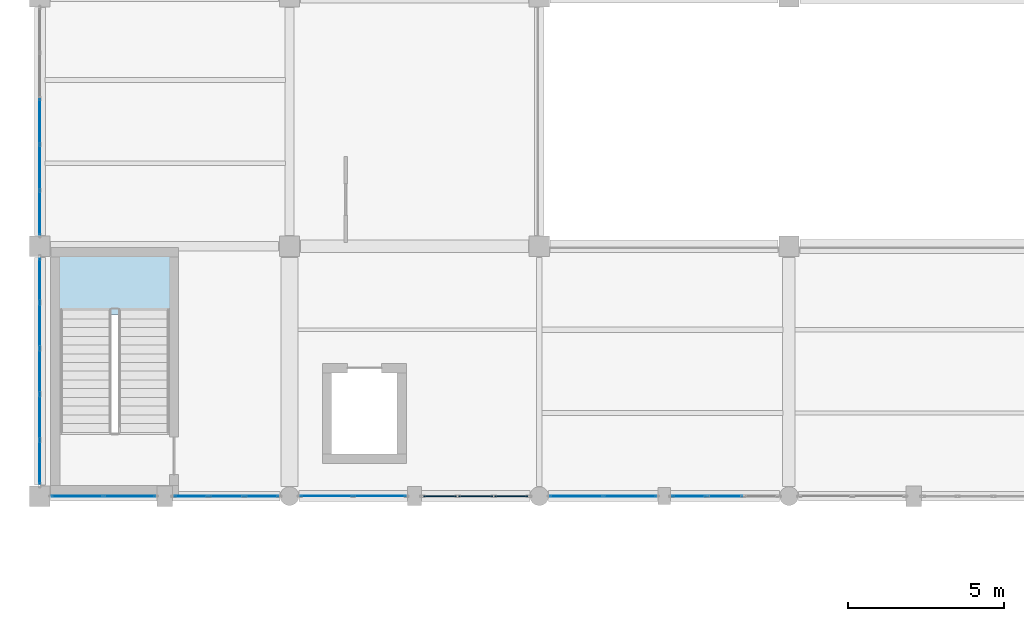
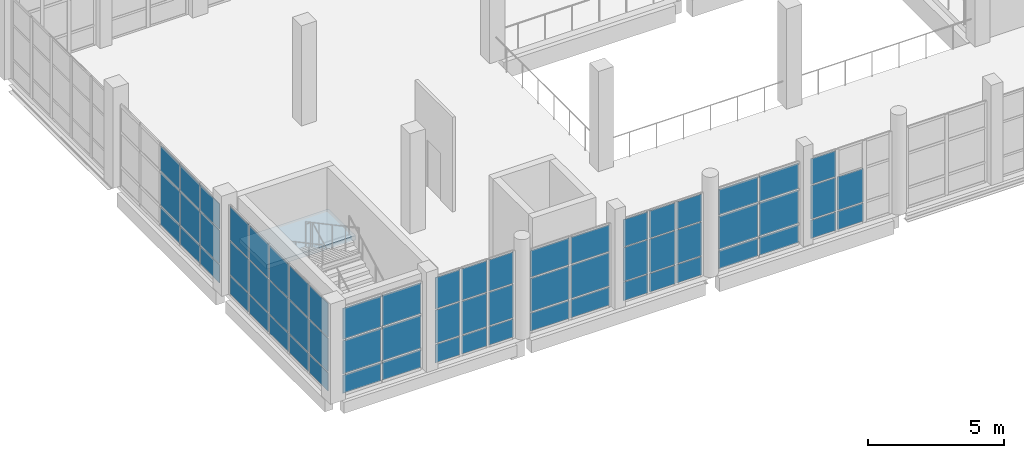
# One storey, part 115 of 183: 65 plates, 1 slab, 9 elements without a shape of their own.
"""IFC4 building model written with IfcOpenShell, lengths in metres."""

from ifc_helpers import new_model, si_unit, direction, frame, origin, origin_2d, place, context, subcontext, project, spatial, polyline, rectangle, outline, extrude, material, layer, layer_set, type_object, element, aggregate, save


model = new_model("IFC4")

# Units and contexts
model_context = context("Model", 3, precision=1e-05, world=origin(), true_north=direction((0.0, 1.0)))
body_context = subcontext(model_context, "Body", "Model", "MODEL_VIEW")
ifc_project = project(units=[si_unit("LENGTHUNIT", "METRE"), si_unit("AREAUNIT", "SQUARE_METRE"), si_unit("VOLUMEUNIT", "CUBIC_METRE"), si_unit("PLANEANGLEUNIT", "RADIAN"), si_unit("MASSUNIT", "GRAM", prefix="KILO")], contexts=[model_context])

# Site, building, storey
site_placement = place(None, origin())
site = spatial("IfcSite", under=ifc_project, at=site_placement, CompositionType="ELEMENT")
building_placement = place(site_placement, origin())
building = spatial("IfcBuilding", under=site, at=building_placement, Name="Luwemba Playhouse", CompositionType="ELEMENT")
storey_placement = place(building_placement, frame((0.0, 0.0, 4.800048828125)))
storey = spatial("IfcBuildingStorey", under=building, at=storey_placement, Name="L01", CompositionType="ELEMENT", Elevation=4.800048828125)

# Curtain wall, plates
ifc_material_1 = material(Name="Solar-control double glazing", Category="glass")
curtain_wall_type_1 = type_object("IfcCurtainWallType", Name="CW-CW95", PredefinedType="USERDEFINED", material=ifc_material_1)
curtain_wall_1_placement = place(storey_placement, origin())
curtain_wall_1 = element("IfcCurtainWall", 1, at=curtain_wall_1_placement, inside=storey, type_object=curtain_wall_type_1, Name="L01 V5W unitised curtain wall 150", ObjectType="UNITISED GLAZING", PredefinedType="USERDEFINED")
ifc_layer_1 = layer(ifc_material_1, 0.02392578125)
ifc_layer_set_1 = layer_set([ifc_layer_1], Name="Solar-control double glazing")
plate_type_1 = type_object("IfcPlateType", Name="CWP-P1", PredefinedType="CURTAIN_PANEL", material=ifc_layer_set_1)
plate_1_placement = place(storey_placement, frame((14.891357421875, 3.0, 0.059814453125), z_axis=(0.0, 0.0, 1.0), x_axis=(-1.0, 0.0, 0.0)))
plate_1 = element("IfcPlate", 2, at=plate_1_placement, type_object=plate_type_1, Name="CW95 panel 1.1", PredefinedType="CURTAIN_PANEL", context=body_context, shape_type="SweptSolid", body=[
    extrude(rectangle(XDim=1.6474609375, YDim=0.02392578125, at=origin_2d()), origin(), (0.0, 0.0, 1.0), 0.81005859375),
])
plate_2_placement = place(storey_placement, frame((14.891357421875, 3.0, 0.93017578125), z_axis=(0.0, 0.0, 1.0), x_axis=(-1.0, 0.0, 0.0)))
plate_2 = element("IfcPlate", 3, at=plate_2_placement, type_object=plate_type_1, Name="CW95 panel 1.2", PredefinedType="CURTAIN_PANEL", context=body_context, shape_type="SweptSolid", body=[
    extrude(rectangle(XDim=1.6474609375, YDim=0.02392578125, at=origin_2d()), origin(), (0.0, 0.0, 1.0), 1.489990234375),
])
plate_3_placement = place(storey_placement, frame((14.891357421875, 3.0, 2.47998046875), z_axis=(0.0, 0.0, 1.0), x_axis=(-1.0, 0.0, 0.0)))
plate_3 = element("IfcPlate", 4, at=plate_3_placement, type_object=plate_type_1, Name="CW95 panel 1.3", PredefinedType="CURTAIN_PANEL", context=body_context, shape_type="SweptSolid", body=[
    extrude(rectangle(XDim=1.6474609375, YDim=0.02392578125, at=origin_2d()), origin(), (0.0, 0.0, 1.0), 1.195068359375),
])
plate_4_placement = place(storey_placement, frame((13.183837890625, 3.0, 0.059814453125), z_axis=(0.0, 0.0, 1.0), x_axis=(-1.0, 0.0, 0.0)))
plate_4 = element("IfcPlate", 5, at=plate_4_placement, type_object=plate_type_1, Name="CW95 panel 2.1", PredefinedType="CURTAIN_PANEL", context=body_context, shape_type="SweptSolid", body=[
    extrude(rectangle(XDim=1.6474609375, YDim=0.02392578125, at=origin_2d()), origin(), (0.0, 0.0, 1.0), 0.81005859375),
])
plate_5_placement = place(storey_placement, frame((13.183837890625, 3.0, 0.93017578125), z_axis=(0.0, 0.0, 1.0), x_axis=(-1.0, 0.0, 0.0)))
plate_5 = element("IfcPlate", 6, at=plate_5_placement, type_object=plate_type_1, Name="CW95 panel 2.2", PredefinedType="CURTAIN_PANEL", context=body_context, shape_type="SweptSolid", body=[
    extrude(rectangle(XDim=1.6474609375, YDim=0.02392578125, at=origin_2d()), origin(), (0.0, 0.0, 1.0), 1.489990234375),
])
plate_6_placement = place(storey_placement, frame((13.183837890625, 3.0, 2.47998046875), z_axis=(0.0, 0.0, 1.0), x_axis=(-1.0, 0.0, 0.0)))
plate_6 = element("IfcPlate", 7, at=plate_6_placement, type_object=plate_type_1, Name="CW95 panel 2.3", PredefinedType="CURTAIN_PANEL", context=body_context, shape_type="SweptSolid", body=[
    extrude(rectangle(XDim=1.6474609375, YDim=0.02392578125, at=origin_2d()), origin(), (0.0, 0.0, 1.0), 1.195068359375),
])
aggregate(curtain_wall_1, [plate_1, plate_2, plate_3, plate_4, plate_5, plate_6])

curtain_wall_type_2 = type_object("IfcCurtainWallType", Name="CW-CW89", PredefinedType="USERDEFINED", material=ifc_material_1)
curtain_wall_2_placement = place(storey_placement, origin())
curtain_wall_2 = element("IfcCurtainWall", 8, at=curtain_wall_2_placement, inside=storey, type_object=curtain_wall_type_2, Name="L01 V5W unitised curtain wall 119", ObjectType="UNITISED GLAZING", PredefinedType="USERDEFINED")
ifc_layer_2 = layer(ifc_material_1, 0.028076171875)
ifc_layer_set_2 = layer_set([ifc_layer_2], Name="Solar-control double glazing")
plate_type_2 = type_object("IfcPlateType", Name="CWP-P2", PredefinedType="CURTAIN_PANEL", material=ifc_layer_set_2)
plate_7_placement = place(storey_placement, frame((4.0, 4.076171875, 0.054931640625), z_axis=(0.0, 0.0, 1.0), x_axis=(0.0, 1.0, 0.0)))
plate_7 = element("IfcPlate", 9, at=plate_7_placement, type_object=plate_type_2, Name="CW89 panel 1.1", PredefinedType="CURTAIN_PANEL", context=body_context, shape_type="SweptSolid", body=[
    extrude(rectangle(XDim=1.37255859375, YDim=0.028076171875, at=origin_2d()), origin(), (0.0, 0.0, 1.0), 0.8173828125),
])
plate_8_placement = place(storey_placement, frame((4.0, 4.076171875, 0.927490234375), z_axis=(0.0, 0.0, 1.0), x_axis=(0.0, 1.0, 0.0)))
plate_8 = element("IfcPlate", 10, at=plate_8_placement, type_object=plate_type_2, Name="CW89 panel 1.2", PredefinedType="CURTAIN_PANEL", context=body_context, shape_type="SweptSolid", body=[
    extrude(rectangle(XDim=1.37255859375, YDim=0.028076171875, at=origin_2d()), origin(), (0.0, 0.0, 1.0), 1.4951171875),
])
plate_9_placement = place(storey_placement, frame((4.0, 4.076171875, 2.4775390625), z_axis=(0.0, 0.0, 1.0), x_axis=(0.0, 1.0, 0.0)))
plate_9 = element("IfcPlate", 11, at=plate_9_placement, type_object=plate_type_2, Name="CW89 panel 1.3", PredefinedType="CURTAIN_PANEL", context=body_context, shape_type="SweptSolid", body=[
    extrude(rectangle(XDim=1.37255859375, YDim=0.028076171875, at=origin_2d()), origin(), (0.0, 0.0, 1.0), 1.50244140625),
])
plate_10_placement = place(storey_placement, frame((4.0, 5.530029296875, 0.054931640625), z_axis=(0.0, 0.0, 1.0), x_axis=(0.0, 1.0, 0.0)))
plate_10 = element("IfcPlate", 12, at=plate_10_placement, type_object=plate_type_2, Name="CW89 panel 2.1", PredefinedType="CURTAIN_PANEL", context=body_context, shape_type="SweptSolid", body=[
    extrude(rectangle(XDim=1.405029296875, YDim=0.028076171875, at=origin_2d()), origin(), (0.0, 0.0, 1.0), 0.8173828125),
])
plate_11_placement = place(storey_placement, frame((4.0, 5.530029296875, 0.927490234375), z_axis=(0.0, 0.0, 1.0), x_axis=(0.0, 1.0, 0.0)))
plate_11 = element("IfcPlate", 13, at=plate_11_placement, type_object=plate_type_2, Name="CW89 panel 2.2", PredefinedType="CURTAIN_PANEL", context=body_context, shape_type="SweptSolid", body=[
    extrude(rectangle(XDim=1.405029296875, YDim=0.028076171875, at=origin_2d()), origin(), (0.0, 0.0, 1.0), 1.4951171875),
])
plate_12_placement = place(storey_placement, frame((4.0, 5.530029296875, 2.4775390625), z_axis=(0.0, 0.0, 1.0), x_axis=(0.0, 1.0, 0.0)))
plate_12 = element("IfcPlate", 14, at=plate_12_placement, type_object=plate_type_2, Name="CW89 panel 2.3", PredefinedType="CURTAIN_PANEL", context=body_context, shape_type="SweptSolid", body=[
    extrude(rectangle(XDim=1.405029296875, YDim=0.028076171875, at=origin_2d()), origin(), (0.0, 0.0, 1.0), 1.50244140625),
])
plate_13_placement = place(storey_placement, frame((4.0, 7.0, 0.054931640625), z_axis=(0.0, 0.0, 1.0), x_axis=(0.0, 1.0, 0.0)))
plate_13 = element("IfcPlate", 15, at=plate_13_placement, type_object=plate_type_2, Name="CW89 panel 3.1", PredefinedType="CURTAIN_PANEL", context=body_context, shape_type="SweptSolid", body=[
    extrude(rectangle(XDim=1.405029296875, YDim=0.028076171875, at=origin_2d()), origin(), (0.0, 0.0, 1.0), 0.8173828125),
])
plate_14_placement = place(storey_placement, frame((4.0, 7.0, 0.927490234375), z_axis=(0.0, 0.0, 1.0), x_axis=(0.0, 1.0, 0.0)))
plate_14 = element("IfcPlate", 16, at=plate_14_placement, type_object=plate_type_2, Name="CW89 panel 3.2", PredefinedType="CURTAIN_PANEL", context=body_context, shape_type="SweptSolid", body=[
    extrude(rectangle(XDim=1.405029296875, YDim=0.028076171875, at=origin_2d()), origin(), (0.0, 0.0, 1.0), 1.4951171875),
])
plate_15_placement = place(storey_placement, frame((4.0, 7.0, 2.4775390625), z_axis=(0.0, 0.0, 1.0), x_axis=(0.0, 1.0, 0.0)))
plate_15 = element("IfcPlate", 17, at=plate_15_placement, type_object=plate_type_2, Name="CW89 panel 3.3", PredefinedType="CURTAIN_PANEL", context=body_context, shape_type="SweptSolid", body=[
    extrude(rectangle(XDim=1.405029296875, YDim=0.028076171875, at=origin_2d()), origin(), (0.0, 0.0, 1.0), 1.50244140625),
])
plate_16_placement = place(storey_placement, frame((4.0, 8.469970703125, 0.054931640625), z_axis=(0.0, 0.0, 1.0), x_axis=(0.0, 1.0, 0.0)))
plate_16 = element("IfcPlate", 18, at=plate_16_placement, type_object=plate_type_2, Name="CW89 panel 4.1", PredefinedType="CURTAIN_PANEL", context=body_context, shape_type="SweptSolid", body=[
    extrude(rectangle(XDim=1.405029296875, YDim=0.028076171875, at=origin_2d()), origin(), (0.0, 0.0, 1.0), 0.8173828125),
])
plate_17_placement = place(storey_placement, frame((4.0, 8.469970703125, 0.927490234375), z_axis=(0.0, 0.0, 1.0), x_axis=(0.0, 1.0, 0.0)))
plate_17 = element("IfcPlate", 19, at=plate_17_placement, type_object=plate_type_2, Name="CW89 panel 4.2", PredefinedType="CURTAIN_PANEL", context=body_context, shape_type="SweptSolid", body=[
    extrude(rectangle(XDim=1.405029296875, YDim=0.028076171875, at=origin_2d()), origin(), (0.0, 0.0, 1.0), 1.4951171875),
])
plate_18_placement = place(storey_placement, frame((4.0, 8.469970703125, 2.4775390625), z_axis=(0.0, 0.0, 1.0), x_axis=(0.0, 1.0, 0.0)))
plate_18 = element("IfcPlate", 20, at=plate_18_placement, type_object=plate_type_2, Name="CW89 panel 4.3", PredefinedType="CURTAIN_PANEL", context=body_context, shape_type="SweptSolid", body=[
    extrude(rectangle(XDim=1.405029296875, YDim=0.028076171875, at=origin_2d()), origin(), (0.0, 0.0, 1.0), 1.50244140625),
])
plate_19_placement = place(storey_placement, frame((4.0, 9.923828125, 0.054931640625), z_axis=(0.0, 0.0, 1.0), x_axis=(0.0, 1.0, 0.0)))
plate_19 = element("IfcPlate", 21, at=plate_19_placement, type_object=plate_type_2, Name="CW89 panel 5.1", PredefinedType="CURTAIN_PANEL", context=body_context, shape_type="SweptSolid", body=[
    extrude(rectangle(XDim=1.37255859375, YDim=0.028076171875, at=origin_2d()), origin(), (0.0, 0.0, 1.0), 0.8173828125),
])
plate_20_placement = place(storey_placement, frame((4.0, 9.923828125, 0.927490234375), z_axis=(0.0, 0.0, 1.0), x_axis=(0.0, 1.0, 0.0)))
plate_20 = element("IfcPlate", 22, at=plate_20_placement, type_object=plate_type_2, Name="CW89 panel 5.2", PredefinedType="CURTAIN_PANEL", context=body_context, shape_type="SweptSolid", body=[
    extrude(rectangle(XDim=1.37255859375, YDim=0.028076171875, at=origin_2d()), origin(), (0.0, 0.0, 1.0), 1.4951171875),
])
plate_21_placement = place(storey_placement, frame((4.0, 9.923828125, 2.4775390625), z_axis=(0.0, 0.0, 1.0), x_axis=(0.0, 1.0, 0.0)))
plate_21 = element("IfcPlate", 23, at=plate_21_placement, type_object=plate_type_2, Name="CW89 panel 5.3", PredefinedType="CURTAIN_PANEL", context=body_context, shape_type="SweptSolid", body=[
    extrude(rectangle(XDim=1.37255859375, YDim=0.028076171875, at=origin_2d()), origin(), (0.0, 0.0, 1.0), 1.50244140625),
])
aggregate(curtain_wall_2, [plate_7, plate_8, plate_9, plate_10, plate_11, plate_12, plate_13, plate_14, plate_15, plate_16, plate_17, plate_18, plate_19, plate_20, plate_21])

curtain_wall_type_3 = type_object("IfcCurtainWallType", Name="CW-CW81", PredefinedType="USERDEFINED", material=ifc_material_1)
curtain_wall_3_placement = place(storey_placement, origin())
curtain_wall_3 = element("IfcCurtainWall", 24, at=curtain_wall_3_placement, inside=storey, type_object=curtain_wall_type_3, Name="L01 V5W unitised curtain wall 147", ObjectType="UNITISED GLAZING", PredefinedType="USERDEFINED")
plate_22_placement = place(storey_placement, frame((25.949951171875, 3.0, 0.054931640625), z_axis=(0.0, 0.0, 1.0), x_axis=(-1.0, 0.0, 0.0)))
plate_22 = element("IfcPlate", 25, at=plate_22_placement, type_object=plate_type_2, Name="CW81 panel 2.1", PredefinedType="CURTAIN_PANEL", context=body_context, shape_type="SweptSolid", body=[
    extrude(rectangle(XDim=1.1015625, YDim=0.028076171875, at=origin_2d()), origin(), (0.0, 0.0, 1.0), 0.8173828125),
])
plate_23_placement = place(storey_placement, frame((25.949951171875, 3.0, 0.927490234375), z_axis=(0.0, 0.0, 1.0), x_axis=(-1.0, 0.0, 0.0)))
plate_23 = element("IfcPlate", 26, at=plate_23_placement, type_object=plate_type_2, Name="CW81 panel 2.2", PredefinedType="CURTAIN_PANEL", context=body_context, shape_type="SweptSolid", body=[
    extrude(rectangle(XDim=1.1015625, YDim=0.028076171875, at=origin_2d()), origin(), (0.0, 0.0, 1.0), 1.4951171875),
])
plate_24_placement = place(storey_placement, frame((24.799560546875, 3.0, 0.054931640625), z_axis=(0.0, 0.0, 1.0), x_axis=(-1.0, 0.0, 0.0)))
plate_24 = element("IfcPlate", 27, at=plate_24_placement, type_object=plate_type_2, Name="CW81 panel 3.1", PredefinedType="CURTAIN_PANEL", context=body_context, shape_type="SweptSolid", body=[
    extrude(rectangle(XDim=1.069091796875, YDim=0.028076171875, at=origin_2d()), origin(), (0.0, 0.0, 1.0), 0.8173828125),
])
plate_25_placement = place(storey_placement, frame((24.799560546875, 3.0, 0.927490234375), z_axis=(0.0, 0.0, 1.0), x_axis=(-1.0, 0.0, 0.0)))
plate_25 = element("IfcPlate", 28, at=plate_25_placement, type_object=plate_type_2, Name="CW81 panel 3.2", PredefinedType="CURTAIN_PANEL", context=body_context, shape_type="SweptSolid", body=[
    extrude(rectangle(XDim=1.069091796875, YDim=0.028076171875, at=origin_2d()), origin(), (0.0, 0.0, 1.0), 1.4951171875),
])
plate_26_placement = place(storey_placement, frame((24.799560546875, 3.0, 2.4775390625), z_axis=(0.0, 0.0, 1.0), x_axis=(-1.0, 0.0, 0.0)))
plate_26 = element("IfcPlate", 29, at=plate_26_placement, type_object=plate_type_2, Name="CW81 panel 3.3", PredefinedType="CURTAIN_PANEL", context=body_context, shape_type="SweptSolid", body=[
    extrude(rectangle(XDim=1.069091796875, YDim=0.028076171875, at=origin_2d()), origin(), (0.0, 0.0, 1.0), 1.152587890625),
])
aggregate(curtain_wall_3, [plate_22, plate_23, plate_24, plate_25, plate_26])

curtain_wall_type_4 = type_object("IfcCurtainWallType", Name="CW-CW33", PredefinedType="USERDEFINED", material=ifc_material_1)
curtain_wall_4_placement = place(storey_placement, origin())
curtain_wall_4 = element("IfcCurtainWall", 30, at=curtain_wall_4_placement, inside=storey, type_object=curtain_wall_type_4, Name="L01 V5W unitised curtain wall 151", ObjectType="UNITISED GLAZING", PredefinedType="USERDEFINED")
plate_27_placement = place(storey_placement, frame((11.108642578125, 3.0, 0.054931640625), z_axis=(0.0, 0.0, 1.0), x_axis=(-1.0, 0.0, 0.0)))
plate_27 = element("IfcPlate", 31, at=plate_27_placement, type_object=plate_type_2, Name="CW33 panel 1.1", PredefinedType="CURTAIN_PANEL", context=body_context, shape_type="SweptSolid", body=[
    extrude(rectangle(XDim=1.052490234375, YDim=0.028076171875, at=origin_2d()), origin(), (0.0, 0.0, 1.0), 0.8173828125),
])
plate_28_placement = place(storey_placement, frame((11.108642578125, 3.0, 0.927490234375), z_axis=(0.0, 0.0, 1.0), x_axis=(-1.0, 0.0, 0.0)))
plate_28 = element("IfcPlate", 32, at=plate_28_placement, type_object=plate_type_2, Name="CW33 panel 1.2", PredefinedType="CURTAIN_PANEL", context=body_context, shape_type="SweptSolid", body=[
    extrude(rectangle(XDim=1.052490234375, YDim=0.028076171875, at=origin_2d()), origin(), (0.0, 0.0, 1.0), 1.4951171875),
])
plate_29_placement = place(storey_placement, frame((11.108642578125, 3.0, 2.4775390625), z_axis=(0.0, 0.0, 1.0), x_axis=(-1.0, 0.0, 0.0)))
plate_29 = element("IfcPlate", 33, at=plate_29_placement, type_object=plate_type_2, Name="CW33 panel 1.3", PredefinedType="CURTAIN_PANEL", context=body_context, shape_type="SweptSolid", body=[
    extrude(rectangle(XDim=1.052490234375, YDim=0.028076171875, at=origin_2d()), origin(), (0.0, 0.0, 1.0), 1.402587890625),
])
plate_30_placement = place(storey_placement, frame((9.97509765625, 3.0, 0.054931640625), z_axis=(0.0, 0.0, 1.0), x_axis=(-1.0, 0.0, 0.0)))
plate_30 = element("IfcPlate", 34, at=plate_30_placement, type_object=plate_type_2, Name="CW33 panel 2.1", PredefinedType="CURTAIN_PANEL", context=body_context, shape_type="SweptSolid", body=[
    extrude(rectangle(XDim=1.0849609375, YDim=0.028076171875, at=origin_2d()), origin(), (0.0, 0.0, 1.0), 0.8173828125),
])
plate_31_placement = place(storey_placement, frame((9.97509765625, 3.0, 0.927490234375), z_axis=(0.0, 0.0, 1.0), x_axis=(-1.0, 0.0, 0.0)))
plate_31 = element("IfcPlate", 35, at=plate_31_placement, type_object=plate_type_2, Name="CW33 panel 2.2", PredefinedType="CURTAIN_PANEL", context=body_context, shape_type="SweptSolid", body=[
    extrude(rectangle(XDim=1.0849609375, YDim=0.028076171875, at=origin_2d()), origin(), (0.0, 0.0, 1.0), 1.4951171875),
])
plate_32_placement = place(storey_placement, frame((9.97509765625, 3.0, 2.4775390625), z_axis=(0.0, 0.0, 1.0), x_axis=(-1.0, 0.0, 0.0)))
plate_32 = element("IfcPlate", 36, at=plate_32_placement, type_object=plate_type_2, Name="CW33 panel 2.3", PredefinedType="CURTAIN_PANEL", context=body_context, shape_type="SweptSolid", body=[
    extrude(rectangle(XDim=1.0849609375, YDim=0.028076171875, at=origin_2d()), origin(), (0.0, 0.0, 1.0), 1.402587890625),
])
plate_33_placement = place(storey_placement, frame((8.84130859375, 3.0, 0.054931640625), z_axis=(0.0, 0.0, 1.0), x_axis=(-1.0, 0.0, 0.0)))
plate_33 = element("IfcPlate", 37, at=plate_33_placement, type_object=plate_type_2, Name="CW33 panel 3.1", PredefinedType="CURTAIN_PANEL", context=body_context, shape_type="SweptSolid", body=[
    extrude(rectangle(XDim=1.052490234375, YDim=0.028076171875, at=origin_2d()), origin(), (0.0, 0.0, 1.0), 0.8173828125),
])
plate_34_placement = place(storey_placement, frame((8.84130859375, 3.0, 0.927490234375), z_axis=(0.0, 0.0, 1.0), x_axis=(-1.0, 0.0, 0.0)))
plate_34 = element("IfcPlate", 38, at=plate_34_placement, type_object=plate_type_2, Name="CW33 panel 3.2", PredefinedType="CURTAIN_PANEL", context=body_context, shape_type="SweptSolid", body=[
    extrude(rectangle(XDim=1.052490234375, YDim=0.028076171875, at=origin_2d()), origin(), (0.0, 0.0, 1.0), 1.4951171875),
])
plate_35_placement = place(storey_placement, frame((8.84130859375, 3.0, 2.4775390625), z_axis=(0.0, 0.0, 1.0), x_axis=(-1.0, 0.0, 0.0)))
plate_35 = element("IfcPlate", 39, at=plate_35_placement, type_object=plate_type_2, Name="CW33 panel 3.3", PredefinedType="CURTAIN_PANEL", context=body_context, shape_type="SweptSolid", body=[
    extrude(rectangle(XDim=1.052490234375, YDim=0.028076171875, at=origin_2d()), origin(), (0.0, 0.0, 1.0), 1.402587890625),
])
aggregate(curtain_wall_4, [plate_27, plate_28, plate_29, plate_30, plate_31, plate_32, plate_33, plate_34, plate_35])

curtain_wall_type_5 = type_object("IfcCurtainWallType", Name="CW-CW90", PredefinedType="USERDEFINED", material=ifc_material_1)
curtain_wall_5_placement = place(storey_placement, origin())
curtain_wall_5 = element("IfcCurtainWall", 40, at=curtain_wall_5_placement, inside=storey, type_object=curtain_wall_type_5, Name="L01 V5W unitised curtain wall 120", ObjectType="UNITISED GLAZING", PredefinedType="USERDEFINED")
ifc_layer_3 = layer(ifc_material_1, 0.031982421875)
ifc_layer_set_3 = layer_set([ifc_layer_3], Name="Solar-control double glazing")
plate_type_3 = type_object("IfcPlateType", Name="CWP-P3", PredefinedType="CURTAIN_PANEL", material=ifc_layer_set_3)
plate_36_placement = place(storey_placement, frame((4.0, 12.07373046875, 0.06494140625), z_axis=(0.0, 0.0, 1.0), x_axis=(0.0, 1.0, 0.0)))
plate_36 = element("IfcPlate", 41, at=plate_36_placement, type_object=plate_type_3, Name="CW90 panel 1.1", PredefinedType="CURTAIN_PANEL", context=body_context, shape_type="SweptSolid", body=[
    extrude(rectangle(XDim=1.387451171875, YDim=0.031982421875, at=origin_2d()), origin(), (0.0, 0.0, 1.0), 0.802490234375),
])
plate_37_placement = place(storey_placement, frame((4.0, 12.07373046875, 0.9326171875), z_axis=(0.0, 0.0, 1.0), x_axis=(0.0, 1.0, 0.0)))
plate_37 = element("IfcPlate", 42, at=plate_37_placement, type_object=plate_type_3, Name="CW90 panel 1.2", PredefinedType="CURTAIN_PANEL", context=body_context, shape_type="SweptSolid", body=[
    extrude(rectangle(XDim=1.387451171875, YDim=0.031982421875, at=origin_2d()), origin(), (0.0, 0.0, 1.0), 1.485107421875),
])
plate_38_placement = place(storey_placement, frame((4.0, 12.07373046875, 2.482421875), z_axis=(0.0, 0.0, 1.0), x_axis=(0.0, 1.0, 0.0)))
plate_38 = element("IfcPlate", 43, at=plate_38_placement, type_object=plate_type_3, Name="CW90 panel 1.3", PredefinedType="CURTAIN_PANEL", context=body_context, shape_type="SweptSolid", body=[
    extrude(rectangle(XDim=1.387451171875, YDim=0.031982421875, at=origin_2d()), origin(), (0.0, 0.0, 1.0), 1.137451171875),
])
plate_39_placement = place(storey_placement, frame((4.0, 13.530029296875, 0.06494140625), z_axis=(0.0, 0.0, 1.0), x_axis=(0.0, 1.0, 0.0)))
plate_39 = element("IfcPlate", 44, at=plate_39_placement, type_object=plate_type_3, Name="CW90 panel 2.1", PredefinedType="CURTAIN_PANEL", context=body_context, shape_type="SweptSolid", body=[
    extrude(rectangle(XDim=1.4150390625, YDim=0.031982421875, at=origin_2d()), origin(), (0.0, 0.0, 1.0), 0.802490234375),
])
plate_40_placement = place(storey_placement, frame((4.0, 13.530029296875, 0.9326171875), z_axis=(0.0, 0.0, 1.0), x_axis=(0.0, 1.0, 0.0)))
plate_40 = element("IfcPlate", 45, at=plate_40_placement, type_object=plate_type_3, Name="CW90 panel 2.2", PredefinedType="CURTAIN_PANEL", context=body_context, shape_type="SweptSolid", body=[
    extrude(rectangle(XDim=1.4150390625, YDim=0.031982421875, at=origin_2d()), origin(), (0.0, 0.0, 1.0), 1.485107421875),
])
plate_41_placement = place(storey_placement, frame((4.0, 13.530029296875, 2.482421875), z_axis=(0.0, 0.0, 1.0), x_axis=(0.0, 1.0, 0.0)))
plate_41 = element("IfcPlate", 46, at=plate_41_placement, type_object=plate_type_3, Name="CW90 panel 2.3", PredefinedType="CURTAIN_PANEL", context=body_context, shape_type="SweptSolid", body=[
    extrude(rectangle(XDim=1.4150390625, YDim=0.031982421875, at=origin_2d()), origin(), (0.0, 0.0, 1.0), 1.137451171875),
])
plate_42_placement = place(storey_placement, frame((4.0, 15.0, 0.06494140625), z_axis=(0.0, 0.0, 1.0), x_axis=(0.0, 1.0, 0.0)))
plate_42 = element("IfcPlate", 47, at=plate_42_placement, type_object=plate_type_3, Name="CW90 panel 3.1", PredefinedType="CURTAIN_PANEL", context=body_context, shape_type="SweptSolid", body=[
    extrude(rectangle(XDim=1.4150390625, YDim=0.031982421875, at=origin_2d()), origin(), (0.0, 0.0, 1.0), 0.802490234375),
])
plate_43_placement = place(storey_placement, frame((4.0, 15.0, 0.9326171875), z_axis=(0.0, 0.0, 1.0), x_axis=(0.0, 1.0, 0.0)))
plate_43 = element("IfcPlate", 48, at=plate_43_placement, type_object=plate_type_3, Name="CW90 panel 3.2", PredefinedType="CURTAIN_PANEL", context=body_context, shape_type="SweptSolid", body=[
    extrude(rectangle(XDim=1.4150390625, YDim=0.031982421875, at=origin_2d()), origin(), (0.0, 0.0, 1.0), 1.485107421875),
])
plate_44_placement = place(storey_placement, frame((4.0, 15.0, 2.482421875), z_axis=(0.0, 0.0, 1.0), x_axis=(0.0, 1.0, 0.0)))
plate_44 = element("IfcPlate", 49, at=plate_44_placement, type_object=plate_type_3, Name="CW90 panel 3.3", PredefinedType="CURTAIN_PANEL", context=body_context, shape_type="SweptSolid", body=[
    extrude(rectangle(XDim=1.4150390625, YDim=0.031982421875, at=origin_2d()), origin(), (0.0, 0.0, 1.0), 1.137451171875),
])
aggregate(curtain_wall_5, [plate_36, plate_37, plate_38, plate_39, plate_40, plate_41, plate_42, plate_43, plate_44])

curtain_wall_type_6 = type_object("IfcCurtainWallType", Name="CW-CW112", PredefinedType="USERDEFINED", material=ifc_material_1)
curtain_wall_6_placement = place(storey_placement, origin())
curtain_wall_6 = element("IfcCurtainWall", 50, at=curtain_wall_6_placement, inside=storey, type_object=curtain_wall_type_6, Name="L01 V5W unitised curtain wall 148", ObjectType="UNITISED GLAZING", PredefinedType="USERDEFINED")
plate_45_placement = place(storey_placement, frame((22.9111328125, 3.0, 0.06494140625), z_axis=(0.0, 0.0, 1.0), x_axis=(-1.0, 0.0, 0.0)))
plate_45 = element("IfcPlate", 51, at=plate_45_placement, type_object=plate_type_3, Name="CW112 panel 1.1", PredefinedType="CURTAIN_PANEL", context=body_context, shape_type="SweptSolid", body=[
    extrude(rectangle(XDim=1.66748046875, YDim=0.031982421875, at=origin_2d()), origin(), (0.0, 0.0, 1.0), 0.802490234375),
])
plate_46_placement = place(storey_placement, frame((22.9111328125, 3.0, 0.9326171875), z_axis=(0.0, 0.0, 1.0), x_axis=(-1.0, 0.0, 0.0)))
plate_46 = element("IfcPlate", 52, at=plate_46_placement, type_object=plate_type_3, Name="CW112 panel 1.2", PredefinedType="CURTAIN_PANEL", context=body_context, shape_type="SweptSolid", body=[
    extrude(rectangle(XDim=1.66748046875, YDim=0.031982421875, at=origin_2d()), origin(), (0.0, 0.0, 1.0), 1.485107421875),
])
plate_47_placement = place(storey_placement, frame((22.9111328125, 3.0, 2.482421875), z_axis=(0.0, 0.0, 1.0), x_axis=(-1.0, 0.0, 0.0)))
plate_47 = element("IfcPlate", 53, at=plate_47_placement, type_object=plate_type_3, Name="CW112 panel 1.3", PredefinedType="CURTAIN_PANEL", context=body_context, shape_type="SweptSolid", body=[
    extrude(rectangle(XDim=1.66748046875, YDim=0.031982421875, at=origin_2d()), origin(), (0.0, 0.0, 1.0), 1.137451171875),
])
plate_48_placement = place(storey_placement, frame((21.188720703125, 3.0, 0.06494140625), z_axis=(0.0, 0.0, 1.0), x_axis=(-1.0, 0.0, 0.0)))
plate_48 = element("IfcPlate", 54, at=plate_48_placement, type_object=plate_type_3, Name="CW112 panel 2.1", PredefinedType="CURTAIN_PANEL", context=body_context, shape_type="SweptSolid", body=[
    extrude(rectangle(XDim=1.66748046875, YDim=0.031982421875, at=origin_2d()), origin(), (0.0, 0.0, 1.0), 0.802490234375),
])
plate_49_placement = place(storey_placement, frame((21.188720703125, 3.0, 0.9326171875), z_axis=(0.0, 0.0, 1.0), x_axis=(-1.0, 0.0, 0.0)))
plate_49 = element("IfcPlate", 55, at=plate_49_placement, type_object=plate_type_3, Name="CW112 panel 2.2", PredefinedType="CURTAIN_PANEL", context=body_context, shape_type="SweptSolid", body=[
    extrude(rectangle(XDim=1.66748046875, YDim=0.031982421875, at=origin_2d()), origin(), (0.0, 0.0, 1.0), 1.485107421875),
])
plate_50_placement = place(storey_placement, frame((21.188720703125, 3.0, 2.482421875), z_axis=(0.0, 0.0, 1.0), x_axis=(-1.0, 0.0, 0.0)))
plate_50 = element("IfcPlate", 56, at=plate_50_placement, type_object=plate_type_3, Name="CW112 panel 2.3", PredefinedType="CURTAIN_PANEL", context=body_context, shape_type="SweptSolid", body=[
    extrude(rectangle(XDim=1.66748046875, YDim=0.031982421875, at=origin_2d()), origin(), (0.0, 0.0, 1.0), 1.137451171875),
])
aggregate(curtain_wall_6, [plate_45, plate_46, plate_47, plate_48, plate_49, plate_50])

curtain_wall_type_7 = type_object("IfcCurtainWallType", Name="CW-CW114", PredefinedType="USERDEFINED", material=ifc_material_1)
curtain_wall_7_placement = place(storey_placement, origin())
curtain_wall_7 = element("IfcCurtainWall", 57, at=curtain_wall_7_placement, inside=storey, type_object=curtain_wall_type_7, Name="L01 V5W unitised curtain wall 152", ObjectType="UNITISED GLAZING", PredefinedType="USERDEFINED")
plate_51_placement = place(storey_placement, frame((6.8798828125, 3.0, 0.06494140625), z_axis=(0.0, 0.0, 1.0), x_axis=(-1.0, 0.0, 0.0)))
plate_51 = element("IfcPlate", 58, at=plate_51_placement, type_object=plate_type_3, Name="CW114 panel 1.1", PredefinedType="CURTAIN_PANEL", context=body_context, shape_type="SweptSolid", body=[
    extrude(rectangle(XDim=1.6298828125, YDim=0.031982421875, at=origin_2d()), origin(), (0.0, 0.0, 1.0), 0.802490234375),
])
plate_52_placement = place(storey_placement, frame((6.8798828125, 3.0, 0.9326171875), z_axis=(0.0, 0.0, 1.0), x_axis=(-1.0, 0.0, 0.0)))
plate_52 = element("IfcPlate", 59, at=plate_52_placement, type_object=plate_type_3, Name="CW114 panel 1.2", PredefinedType="CURTAIN_PANEL", context=body_context, shape_type="SweptSolid", body=[
    extrude(rectangle(XDim=1.6298828125, YDim=0.031982421875, at=origin_2d()), origin(), (0.0, 0.0, 1.0), 1.485107421875),
])
plate_53_placement = place(storey_placement, frame((6.8798828125, 3.0, 2.482421875), z_axis=(0.0, 0.0, 1.0), x_axis=(-1.0, 0.0, 0.0)))
plate_53 = element("IfcPlate", 60, at=plate_53_placement, type_object=plate_type_3, Name="CW114 panel 1.3", PredefinedType="CURTAIN_PANEL", context=body_context, shape_type="SweptSolid", body=[
    extrude(rectangle(XDim=1.6298828125, YDim=0.031982421875, at=origin_2d()), origin(), (0.0, 0.0, 1.0), 1.387451171875),
])
plate_54_placement = place(storey_placement, frame((5.195068359375, 3.0, 0.06494140625), z_axis=(0.0, 0.0, 1.0), x_axis=(-1.0, 0.0, 0.0)))
plate_54 = element("IfcPlate", 61, at=plate_54_placement, type_object=plate_type_3, Name="CW114 panel 2.1", PredefinedType="CURTAIN_PANEL", context=body_context, shape_type="SweptSolid", body=[
    extrude(rectangle(XDim=1.6298828125, YDim=0.031982421875, at=origin_2d()), origin(), (0.0, 0.0, 1.0), 0.802490234375),
])
plate_55_placement = place(storey_placement, frame((5.195068359375, 3.0, 0.9326171875), z_axis=(0.0, 0.0, 1.0), x_axis=(-1.0, 0.0, 0.0)))
plate_55 = element("IfcPlate", 62, at=plate_55_placement, type_object=plate_type_3, Name="CW114 panel 2.2", PredefinedType="CURTAIN_PANEL", context=body_context, shape_type="SweptSolid", body=[
    extrude(rectangle(XDim=1.6298828125, YDim=0.031982421875, at=origin_2d()), origin(), (0.0, 0.0, 1.0), 1.485107421875),
])
plate_56_placement = place(storey_placement, frame((5.195068359375, 3.0, 2.482421875), z_axis=(0.0, 0.0, 1.0), x_axis=(-1.0, 0.0, 0.0)))
plate_56 = element("IfcPlate", 63, at=plate_56_placement, type_object=plate_type_3, Name="CW114 panel 2.3", PredefinedType="CURTAIN_PANEL", context=body_context, shape_type="SweptSolid", body=[
    extrude(rectangle(XDim=1.6298828125, YDim=0.031982421875, at=origin_2d()), origin(), (0.0, 0.0, 1.0), 1.387451171875),
])
aggregate(curtain_wall_7, [plate_51, plate_52, plate_53, plate_54, plate_55, plate_56])

curtain_wall_type_8 = type_object("IfcCurtainWallType", Name="CW-CW113", PredefinedType="USERDEFINED", material=ifc_material_1)
curtain_wall_8_placement = place(storey_placement, origin())
curtain_wall_8 = element("IfcCurtainWall", 64, at=curtain_wall_8_placement, inside=storey, type_object=curtain_wall_type_8, Name="L01 V5W unitised curtain wall 149", ObjectType="UNITISED GLAZING", PredefinedType="USERDEFINED")
ifc_layer_4 = layer(ifc_material_1, 0.035888671875)
ifc_layer_set_4 = layer_set([ifc_layer_4], Name="Solar-control double glazing")
plate_type_4 = type_object("IfcPlateType", Name="CWP-P4", PredefinedType="CURTAIN_PANEL", material=ifc_layer_set_4)
plate_57_placement = place(storey_placement, frame((19.103271484375, 3.0, 0.0498046875), z_axis=(0.0, 0.0, 1.0), x_axis=(-1.0, 0.0, 0.0)))
plate_57 = element("IfcPlate", 65, at=plate_57_placement, type_object=plate_type_4, Name="CW113 panel 1.1", PredefinedType="CURTAIN_PANEL", context=body_context, shape_type="SweptSolid", body=[
    extrude(rectangle(XDim=1.05322265625, YDim=0.035888671875, at=origin_2d()), origin(), (0.0, 0.0, 1.0), 0.824951171875),
])
plate_58_placement = place(storey_placement, frame((19.103271484375, 3.0, 0.925048828125), z_axis=(0.0, 0.0, 1.0), x_axis=(-1.0, 0.0, 0.0)))
plate_58 = element("IfcPlate", 66, at=plate_58_placement, type_object=plate_type_4, Name="CW113 panel 1.2", PredefinedType="CURTAIN_PANEL", context=body_context, shape_type="SweptSolid", body=[
    extrude(rectangle(XDim=1.05322265625, YDim=0.035888671875, at=origin_2d()), origin(), (0.0, 0.0, 1.0), 1.5),
])
plate_59_placement = place(storey_placement, frame((19.103271484375, 3.0, 2.474853515625), z_axis=(0.0, 0.0, 1.0), x_axis=(-1.0, 0.0, 0.0)))
plate_59 = element("IfcPlate", 67, at=plate_59_placement, type_object=plate_type_4, Name="CW113 panel 1.3", PredefinedType="CURTAIN_PANEL", context=body_context, shape_type="SweptSolid", body=[
    extrude(rectangle(XDim=1.05322265625, YDim=0.035888671875, at=origin_2d()), origin(), (0.0, 0.0, 1.0), 1.2099609375),
])
plate_60_placement = place(storey_placement, frame((17.96240234375, 3.0, 0.0498046875), z_axis=(0.0, 0.0, 1.0), x_axis=(-1.0, 0.0, 0.0)))
plate_60 = element("IfcPlate", 68, at=plate_60_placement, type_object=plate_type_4, Name="CW113 panel 2.1", PredefinedType="CURTAIN_PANEL", context=body_context, shape_type="SweptSolid", body=[
    extrude(rectangle(XDim=1.08837890625, YDim=0.035888671875, at=origin_2d()), origin(), (0.0, 0.0, 1.0), 0.824951171875),
])
plate_61_placement = place(storey_placement, frame((17.96240234375, 3.0, 0.925048828125), z_axis=(0.0, 0.0, 1.0), x_axis=(-1.0, 0.0, 0.0)))
plate_61 = element("IfcPlate", 69, at=plate_61_placement, type_object=plate_type_4, Name="CW113 panel 2.2", PredefinedType="CURTAIN_PANEL", context=body_context, shape_type="SweptSolid", body=[
    extrude(rectangle(XDim=1.08837890625, YDim=0.035888671875, at=origin_2d()), origin(), (0.0, 0.0, 1.0), 1.5),
])
plate_62_placement = place(storey_placement, frame((17.96240234375, 3.0, 2.474853515625), z_axis=(0.0, 0.0, 1.0), x_axis=(-1.0, 0.0, 0.0)))
plate_62 = element("IfcPlate", 70, at=plate_62_placement, type_object=plate_type_4, Name="CW113 panel 2.3", PredefinedType="CURTAIN_PANEL", context=body_context, shape_type="SweptSolid", body=[
    extrude(rectangle(XDim=1.08837890625, YDim=0.035888671875, at=origin_2d()), origin(), (0.0, 0.0, 1.0), 1.2099609375),
])
plate_63_placement = place(storey_placement, frame((16.82177734375, 3.0, 0.0498046875), z_axis=(0.0, 0.0, 1.0), x_axis=(-1.0, 0.0, 0.0)))
plate_63 = element("IfcPlate", 71, at=plate_63_placement, type_object=plate_type_4, Name="CW113 panel 3.1", PredefinedType="CURTAIN_PANEL", context=body_context, shape_type="SweptSolid", body=[
    extrude(rectangle(XDim=1.05322265625, YDim=0.035888671875, at=origin_2d()), origin(), (0.0, 0.0, 1.0), 0.824951171875),
])
plate_64_placement = place(storey_placement, frame((16.82177734375, 3.0, 0.925048828125), z_axis=(0.0, 0.0, 1.0), x_axis=(-1.0, 0.0, 0.0)))
plate_64 = element("IfcPlate", 72, at=plate_64_placement, type_object=plate_type_4, Name="CW113 panel 3.2", PredefinedType="CURTAIN_PANEL", context=body_context, shape_type="SweptSolid", body=[
    extrude(rectangle(XDim=1.05322265625, YDim=0.035888671875, at=origin_2d()), origin(), (0.0, 0.0, 1.0), 1.5),
])
plate_65_placement = place(storey_placement, frame((16.82177734375, 3.0, 2.474853515625), z_axis=(0.0, 0.0, 1.0), x_axis=(-1.0, 0.0, 0.0)))
plate_65 = element("IfcPlate", 73, at=plate_65_placement, type_object=plate_type_4, Name="CW113 panel 3.3", PredefinedType="CURTAIN_PANEL", context=body_context, shape_type="SweptSolid", body=[
    extrude(rectangle(XDim=1.05322265625, YDim=0.035888671875, at=origin_2d()), origin(), (0.0, 0.0, 1.0), 1.2099609375),
])
aggregate(curtain_wall_8, [plate_57, plate_58, plate_59, plate_60, plate_61, plate_62, plate_63, plate_64, plate_65])

# Stair, slab
ifc_material_2 = material(Name="Concrete C40/50", Category="concrete")
stair_type = type_object("IfcStairType", Name="STR-DL-04", PredefinedType="HALF_TURN_STAIR", material=ifc_material_2)
stair_placement = place(storey_placement, origin())
stair = element("IfcStair", 74, at=stair_placement, inside=storey, type_object=stair_type, Name="L01 Grand Foyer South-West Escape Stair", PredefinedType="HALF_TURN_STAIR")
ifc_layer_5 = layer(ifc_material_2, 0.215087890625)
ifc_layer_set_5 = layer_set([ifc_layer_5], Name="Concrete C40/50")
slab_type = type_object("IfcSlabType", Name="SLB-LND-215", PredefinedType="LANDING", material=ifc_layer_set_5)
slab_placement = place(storey_placement, frame((0.0, 0.0, 2.050048828125)))
slab = element("IfcSlab", 75, at=slab_placement, type_object=slab_type, Name="ST-04 landing 1", PredefinedType="LANDING", context=body_context, shape_type="SweptSolid", body=[
    extrude(outline(polyline([(8.2900390625, 8.820068359375), (4.510009765625, 8.820068359375), (4.510009765625, 10.800048828125), (8.2900390625, 10.800048828125), (8.2900390625, 8.820068359375)])), origin(), (0.0, 0.0, 1.0), 0.199951171875),
])
aggregate(stair, [slab])

save(model, "model.ifc")
